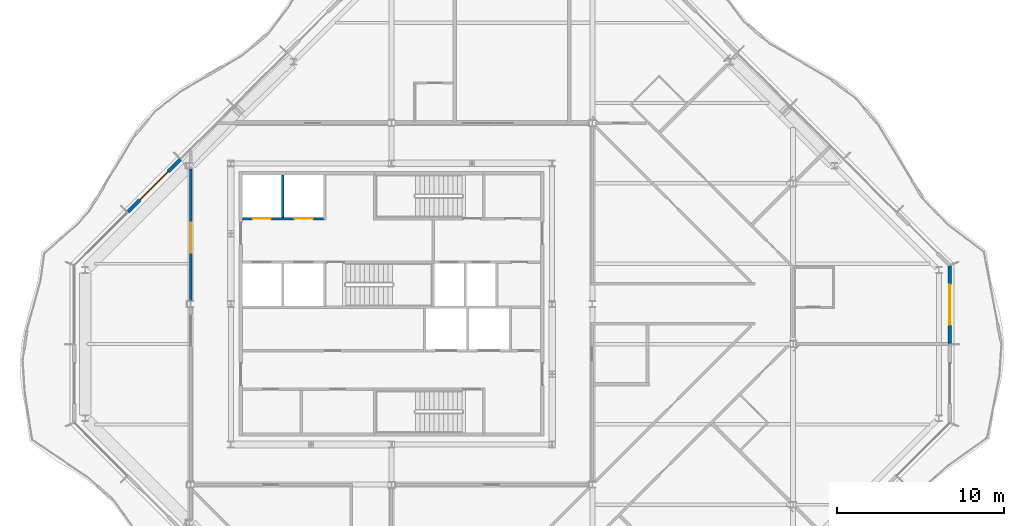
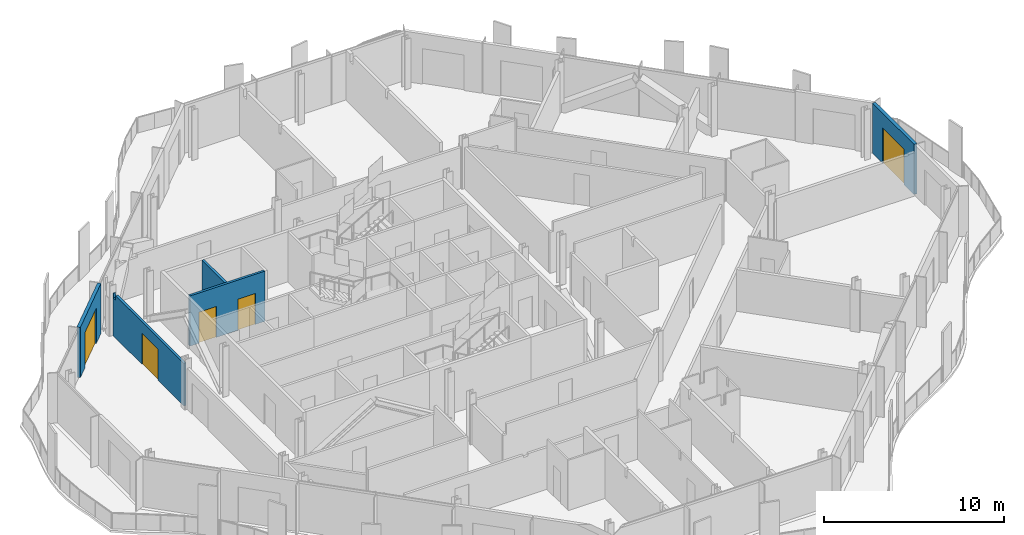
# One storey, part 10 of 17: 5 doors, 5 walls, 5 openings.
"""IFC4 building model written with IfcOpenShell, lengths in metres."""

from ifc_helpers import new_model, si_unit, direction, frame, frame_2d, origin, place, context, subcontext, project, spatial, polyline, rectangle, outline, extrude, material, layer, layer_set, type_object, element, fill, save


model = new_model("IFC4")

# Units and contexts
model_context = context("Model", 3, precision=1e-05, world=origin(), true_north=direction((0.0, 1.0)))
body_context = subcontext(model_context, "Body", "Model", "MODEL_VIEW")
ifc_project = project(units=[si_unit("LENGTHUNIT", "METRE"), si_unit("AREAUNIT", "SQUARE_METRE"), si_unit("VOLUMEUNIT", "CUBIC_METRE"), si_unit("PLANEANGLEUNIT", "RADIAN"), si_unit("MASSUNIT", "GRAM", prefix="KILO")], contexts=[model_context])

# Site, building, storey
site_placement = place(None, origin())
site = spatial("IfcSite", under=ifc_project, at=site_placement, CompositionType="ELEMENT")
building_placement = place(site_placement, origin())
building = spatial("IfcBuilding", under=site, at=building_placement, Name="Cairn Pilgrim Tower", CompositionType="ELEMENT")
storey_placement = place(building_placement, frame((0.0, 0.0, 292.199951171875)))
storey = spatial("IfcBuildingStorey", under=building, at=storey_placement, Name="L75", CompositionType="ELEMENT", Elevation=292.199951171875)

# Wall, opening, door
ifc_material_1 = material(Name="Bronze anodised aluminium insulated sandwich panel with mineral wool fill", Category="aluminium")
ifc_layer_1 = layer(ifc_material_1, 0.199951171875)
ifc_layer_set_1 = layer_set([ifc_layer_1], Name="BRONZE INFILL FRAME WALL 200")
wall_type_1 = type_object("IfcWallType", Name="BRONZE INFILL FRAME WALL 200", PredefinedType="NOTDEFINED", material=ifc_layer_set_1)
wall_1_placement = place(storey_placement, frame((40.550048828125, 0.030029296875, 0.0), z_axis=(0.0, 0.0, 1.0), x_axis=(0.0, 1.0, 0.0)))
wall_1 = element("IfcWall", 1, at=wall_1_placement, inside=storey, type_object=wall_type_1, Name="Bronze infill frame wall IW-E2", PredefinedType="NOTDEFINED", context=body_context, shape_type="SweptSolid", body=[
    extrude(rectangle(XDim=4.62646484375, YDim=0.199951171875, at=frame_2d((2.313232421875, 0.0))), origin(), (0.0, 0.0, 1.0), 3.400146484375),
])
opening_1_placement = place(wall_1_placement, frame((1.117919921875, 0.0, 0.0)))
opening_1 = element("IfcOpeningElement", 2, at=opening_1_placement, cuts=wall_1, Name="Opening 7506B2", PredefinedType="OPENING", context=body_context, shape_type="SweptSolid", body=[
    extrude(rectangle(XDim=2.39990234375, YDim=2.39990234375, at=frame_2d((1.199951171875, 1.199951171875))), frame((0.0, 0.10986328125, 0.0), z_axis=(0.0, -1.0, 0.0), x_axis=(1.0, 0.0, 0.0)), (0.0, 0.0, 1.0), 0.219970703125),
])
ifc_material_2 = material(Name="Bronze anodised aluminium frame with tinted low-E glass", Category="aluminium")
door_type_1 = type_object("IfcDoorType", Name="BALCONY SLIDING DOOR 2400x2400", OperationType="DOUBLE_DOOR_SLIDING", PredefinedType="DOOR", material=ifc_material_2)
door_1_placement = place(opening_1_placement, origin())
door_1 = element("IfcDoor", 3, at=door_1_placement, inside=storey, type_object=door_type_1, Name="Balcony sliding door 7506B2", OperationType="SINGLE_SWING_LEFT", OverallHeight=2.39990234375, OverallWidth=2.39990234375, PredefinedType="DOOR", context=body_context, shape_type="SweptSolid", body=[
    extrude(rectangle(XDim=2.39990234375, YDim=2.39990234375, at=frame_2d((1.199951171875, 1.199951171875))), frame((0.0, 0.02490234375, 0.0), z_axis=(0.0, -1.0, 0.0), x_axis=(1.0, 0.0, 0.0)), (0.0, 0.0, 1.0), 0.050048828125),
])
fill(opening_1, door_1)

wall_2_placement = place(storey_placement, frame((-5.419921875, 11.0263671875, 0.0), z_axis=(0.0, 0.0, 1.0), x_axis=(-0.707134329907, -0.707079231393, 0.0)))
wall_2 = element("IfcWall", 4, at=wall_2_placement, inside=storey, type_object=wall_type_1, Name="Bronze infill frame wall IW-NW5", PredefinedType="NOTDEFINED", context=body_context, shape_type="SweptSolid", body=[
    extrude(rectangle(XDim=4.430908203125, YDim=0.199951171875, at=frame_2d((2.21533203125, 0.0))), origin(), (0.0, 0.0, 1.0), 3.400146484375),
])
opening_2_placement = place(wall_2_placement, frame((1.01513671875, 0.0, 0.0)))
opening_2 = element("IfcOpeningElement", 5, at=opening_2_placement, cuts=wall_2, Name="Opening 7502B", PredefinedType="OPENING", context=body_context, shape_type="SweptSolid", body=[
    extrude(rectangle(XDim=2.39990234375, YDim=2.39990234375, at=frame_2d((1.199951171875, 1.199951171875))), frame((0.0, 0.10986328125, 0.0), z_axis=(0.0, -1.0, 0.0), x_axis=(1.0, 0.0, 0.0)), (0.0, 0.0, 1.0), 0.219970703125),
])
door_2_placement = place(opening_2_placement, origin())
door_2 = element("IfcDoor", 6, at=door_2_placement, inside=storey, type_object=door_type_1, Name="Balcony sliding door 7502B", OperationType="SINGLE_SWING_LEFT", OverallHeight=2.39990234375, OverallWidth=2.39990234375, PredefinedType="DOOR", context=body_context, shape_type="SweptSolid", body=[
    extrude(rectangle(XDim=2.39990234375, YDim=2.39990234375, at=frame_2d((1.199951171875, 1.199951171875))), frame((0.0, 0.02490234375, 0.0), z_axis=(0.0, -1.0, 0.0), x_axis=(1.0, 0.0, 0.0)), (0.0, 0.0, 1.0), 0.050048828125),
])
fill(opening_2, door_2)

# Wall, openings, doors
ifc_material_3 = material(Name="Concrete C32/40", Category="concrete")
ifc_layer_2 = layer(ifc_material_3, 0.14990234375)
ifc_layer_set_2 = layer_set([ifc_layer_2], Name="CORE SHAFT WALL 150 EI 120")
wall_type_2 = type_object("IfcWallType", Name="CORE SHAFT WALL 150 EI 120", PredefinedType="SOLIDWALL", material=ifc_layer_set_2)
wall_3_placement = place(storey_placement, frame((-1.699951171875, 7.5, 0.0), z_axis=(0.0, 0.0, 1.0), x_axis=(1.0, 0.0, 0.0)))
wall_3 = element("IfcWall", 7, at=wall_3_placement, inside=storey, type_object=wall_type_2, Name="CW:L75:H10", PredefinedType="SOLIDWALL", context=body_context, shape_type="SweptSolid", body=[
    extrude(rectangle(XDim=4.824951171875, YDim=0.14990234375, at=frame_2d((2.41259765625, 0.0))), origin(), (0.0, 0.0, 1.0), 3.400146484375),
])
opening_3_placement = place(wall_3_placement, frame((0.60009765625, 0.0, 0.0)))
opening_3 = element("IfcOpeningElement", 8, at=opening_3_placement, cuts=wall_3, Name="Opening LD-HR3", PredefinedType="OPENING", context=body_context, shape_type="SweptSolid", body=[
    extrude(rectangle(XDim=1.10009765625, YDim=2.10009765625, at=frame_2d((0.550048828125, 1.050048828125))), frame((0.0, 0.0849609375, 0.0), z_axis=(0.0, -1.0, 0.0), x_axis=(1.0, 0.0, 0.0)), (0.0, 0.0, 1.0), 0.169921875),
])
opening_4_placement = place(wall_3_placement, frame((3.10009765625, 0.0, 0.0)))
opening_4 = element("IfcOpeningElement", 9, at=opening_4_placement, cuts=wall_3, Name="Opening LD-HR4", PredefinedType="OPENING", context=body_context, shape_type="SweptSolid", body=[
    extrude(rectangle(XDim=1.10009765625, YDim=2.10009765625, at=frame_2d((0.550048828125, 1.050048828125))), frame((0.0, 0.0849609375, 0.0), z_axis=(0.0, -1.0, 0.0), x_axis=(1.0, 0.0, 0.0)), (0.0, 0.0, 1.0), 0.169921875),
])
ifc_material_4 = material(Name="Stainless steel", Category="steel")
door_type_2 = type_object("IfcDoorType", Name="LIFT LANDING DOOR 1100x2100", OperationType="DOUBLE_DOOR_SLIDING", PredefinedType="DOOR", material=ifc_material_4)
door_3_placement = place(opening_3_placement, origin())
door_3 = element("IfcDoor", 10, at=door_3_placement, inside=storey, type_object=door_type_2, Name="LANDING DOOR HR3", OperationType="DOUBLE_DOOR_SLIDING", OverallHeight=2.10009765625, OverallWidth=1.10009765625, PredefinedType="DOOR", context=body_context, shape_type="SweptSolid", body=[
    extrude(rectangle(XDim=1.10009765625, YDim=2.10009765625, at=frame_2d((0.550048828125, 1.050048828125))), frame((0.0, 0.02490234375, 0.0), z_axis=(0.0, -1.0, 0.0), x_axis=(1.0, 0.0, 0.0)), (0.0, 0.0, 1.0), 0.050048828125),
])
fill(opening_3, door_3)
door_4_placement = place(opening_4_placement, origin())
door_4 = element("IfcDoor", 11, at=door_4_placement, inside=storey, type_object=door_type_2, Name="LANDING DOOR HR4", OperationType="DOUBLE_DOOR_SLIDING", OverallHeight=2.10009765625, OverallWidth=1.10009765625, PredefinedType="DOOR", context=body_context, shape_type="SweptSolid", body=[
    extrude(rectangle(XDim=1.10009765625, YDim=2.10009765625, at=frame_2d((0.550048828125, 1.050048828125))), frame((0.0, 0.02490234375, 0.0), z_axis=(0.0, -1.0, 0.0), x_axis=(1.0, 0.0, 0.0)), (0.0, 0.0, 1.0), 0.050048828125),
])
fill(opening_4, door_4)

# Wall
wall_4_placement = place(storey_placement, frame((0.699951171875, 7.574951171875, 0.0), z_axis=(0.0, 0.0, 1.0), x_axis=(0.0, 1.0, 0.0)))
element("IfcWall", 12, at=wall_4_placement, inside=storey, type_object=wall_type_2, Name="CW:L75:V15", PredefinedType="SOLIDWALL", context=body_context, shape_type="SweptSolid", body=[
    extrude(rectangle(XDim=2.525146484375, YDim=0.14990234375, at=frame_2d((1.2626953125, 0.0))), origin(), (0.0, 0.0, 1.0), 3.400146484375),
])

# Wall, opening, door
ifc_material_5 = material(Name="Gypsum partition")
ifc_layer_3 = layer(ifc_material_5, 0.14990234375)
ifc_layer_set_3 = layer_set([ifc_layer_3], Name="PARTITION 150 DRYWALL EI 60")
wall_type_3 = type_object("IfcWallType", Name="PARTITION 150 DRYWALL EI 60", PredefinedType="PARTITIONING", material=ifc_layer_set_3)
wall_5_placement = place(storey_placement, frame((-4.800048828125, 2.58740234375, 0.0), z_axis=(0.0, 0.0, 1.0), x_axis=(0.0, 1.0, 0.0)))
wall_5 = element("IfcWall", 13, at=wall_5_placement, inside=storey, type_object=wall_type_3, Name="PARTITION W040", PredefinedType="PARTITIONING", context=body_context, shape_type="SweptSolid", body=[
    extrude(outline(polyline([(0.0, 0.0), (7.880126953125, 0.0), (7.8798828125, 2.880126953125), (7.814453125, 2.880126953125), (7.8125, 2.580078125), (7.56982421875, 2.580078125), (7.56787109375, 2.880126953125), (0.0, 2.880126953125), (0.0, 0.0)])), frame((0.0, 0.074951171875, 0.0), z_axis=(0.0, -1.0, 0.0), x_axis=(1.0, 0.0, 0.0)), (0.0, 0.0, 1.0), 0.14990234375),
])
opening_5_placement = place(wall_5_placement, frame((2.862548828125, 0.0, 0.0)))
opening_5 = element("IfcOpeningElement", 14, at=opening_5_placement, cuts=wall_5, Name="Opening 7502A", PredefinedType="OPENING", context=body_context, shape_type="SweptSolid", body=[
    extrude(rectangle(XDim=1.800048828125, YDim=2.10009765625, at=frame_2d((0.89990234375, 1.050048828125))), frame((0.0, 0.0849609375, 0.0), z_axis=(0.0, -1.0, 0.0), x_axis=(1.0, 0.0, 0.0)), (0.0, 0.0, 1.0), 0.169921875),
])
ifc_material_6 = material(Name="Timber door leaf", Category="wood")
door_type_3 = type_object("IfcDoorType", Name="DOOR PAIR 1800x2100 FD60S", OperationType="NOTDEFINED", PredefinedType="DOOR", material=ifc_material_6)
door_5_placement = place(opening_5_placement, origin())
door_5 = element("IfcDoor", 15, at=door_5_placement, inside=storey, type_object=door_type_3, Name="DOOR 7502A", OperationType="DOUBLE_DOOR_SINGLE_SWING", OverallHeight=2.10009765625, OverallWidth=1.800048828125, PredefinedType="DOOR", context=body_context, shape_type="SweptSolid", body=[
    extrude(rectangle(XDim=1.800048828125, YDim=2.10009765625, at=frame_2d((0.89990234375, 1.050048828125))), frame((0.0, 0.02490234375, 0.0), z_axis=(0.0, -1.0, 0.0), x_axis=(1.0, 0.0, 0.0)), (0.0, 0.0, 1.0), 0.050048828125),
])
fill(opening_5, door_5)

save(model, "model.ifc")
